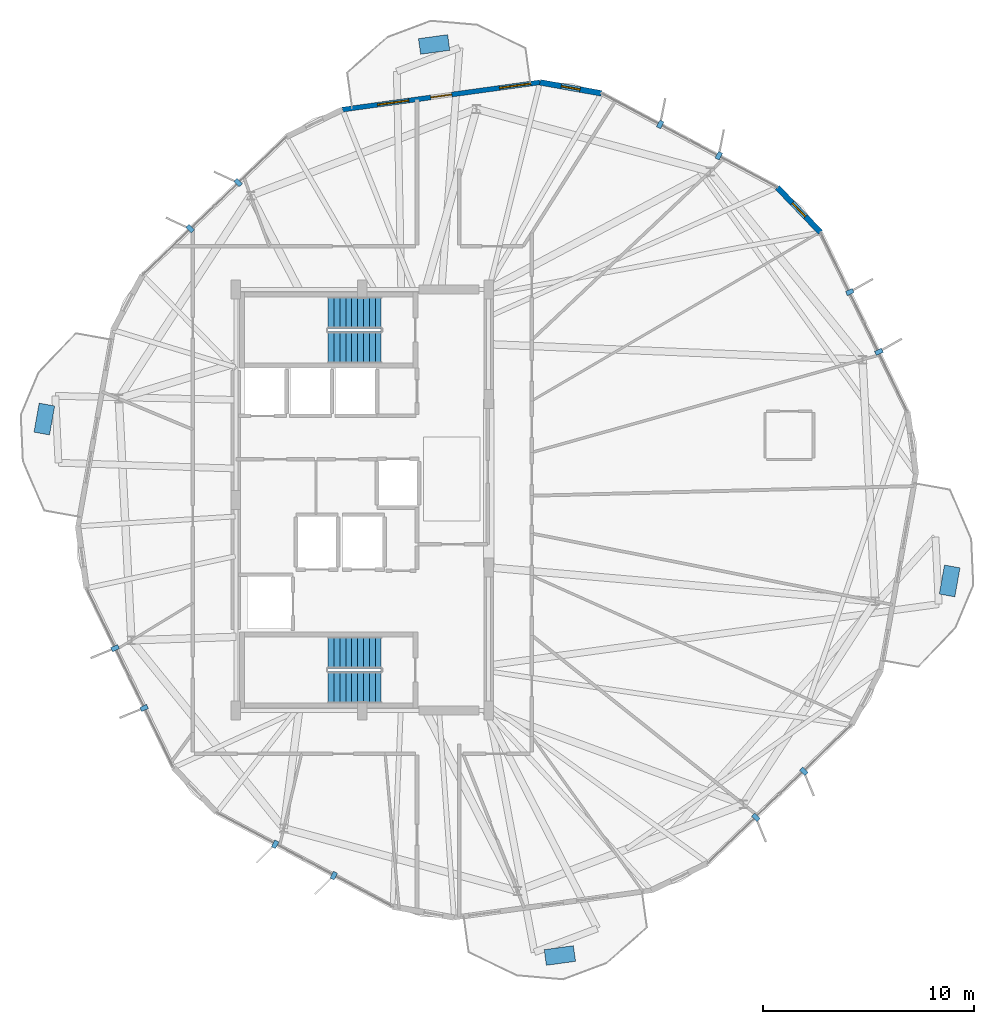
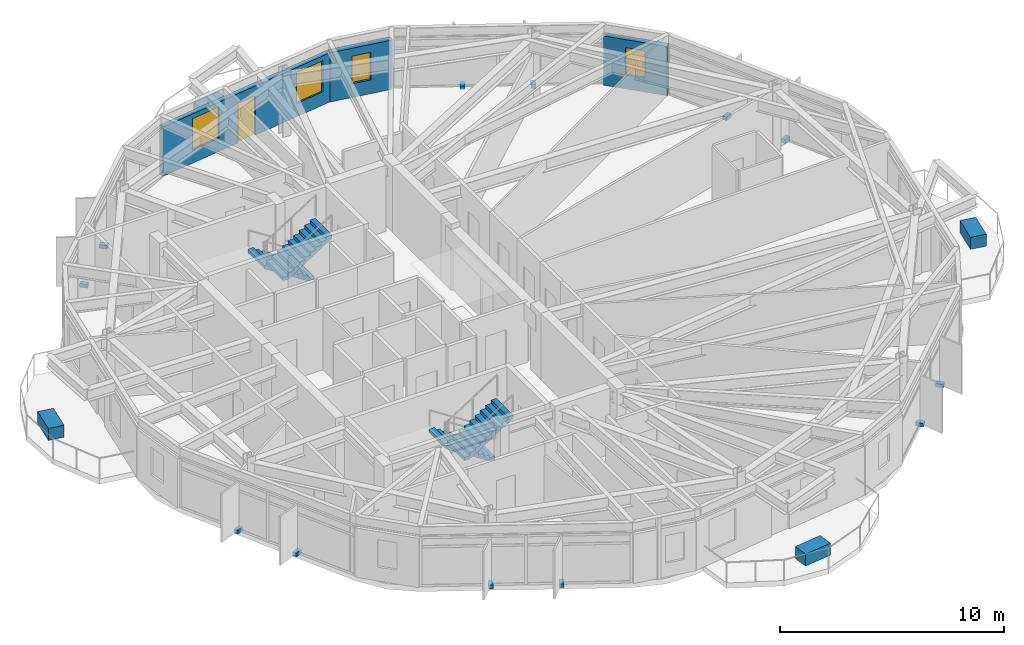
# One storey, part 23 of 26: 16 discrete accessories, 4 stair flights, 4 windows, 3 walls, 1 door, 5 openings, 2 elements without a shape of their own.
"""IFC4 building model written with IfcOpenShell, lengths in metres."""

from ifc_helpers import new_model, si_unit, direction, frame, frame_2d, origin, origin_2d, place, context, subcontext, project, spatial, polyline, rectangle, outline, extrude, material, layer, layer_set, type_object, element, fill, aggregate, save


model = new_model("IFC4")

# Units and contexts
model_context = context("Model", 3, precision=1e-05, world=origin(), true_north=direction((0.0, 1.0)))
body_context = subcontext(model_context, "Body", "Model", "MODEL_VIEW")
ifc_project = project(units=[si_unit("LENGTHUNIT", "METRE"), si_unit("AREAUNIT", "SQUARE_METRE"), si_unit("VOLUMEUNIT", "CUBIC_METRE"), si_unit("PLANEANGLEUNIT", "RADIAN"), si_unit("MASSUNIT", "GRAM", prefix="KILO")], contexts=[model_context])

# Site, building, storey
site_placement = place(None, origin())
site = spatial("IfcSite", under=ifc_project, at=site_placement, CompositionType="ELEMENT")
building_placement = place(site_placement, origin())
building = spatial("IfcBuilding", under=site, at=building_placement, Name="Soratama Intermodal Tower", CompositionType="ELEMENT")
storey_placement = place(building_placement, frame((0.0, 0.0, 194.199951171875)))
storey = spatial("IfcBuildingStorey", under=building, at=storey_placement, Name="L48", CompositionType="ELEMENT", Elevation=194.199951171875)

# Wall, openings, door, windows
ifc_material_1 = material(Name="Concrete f'c 42 MPa", Category="concrete")
ifc_layer_1 = layer(ifc_material_1, 0.22998046875)
ifc_layer_set_1 = layer_set([ifc_layer_1], Name="Concrete f'c 42 MPa")
wall_type_1 = type_object("IfcWallType", Name="EW-BAL-230", PredefinedType="SOLIDWALL", material=ifc_layer_set_1)
wall_1_placement = place(storey_placement, frame((47.04150390625, 44.840087890625, 0.0), z_axis=(0.0, 0.0, 1.0), x_axis=(-0.990605602179, -0.136749921142, 0.0)))
wall_1 = element("IfcWall", 1, at=wall_1_placement, inside=storey, type_object=wall_type_1, Name="L48 Terrace Wall F02", PredefinedType="SOLIDWALL", context=body_context, shape_type="SweptSolid", body=[
    extrude(rectangle(XDim=9.470947265625, YDim=0.22998046875, at=frame_2d((4.7353515625, 0.0))), origin(), (0.0, 0.0, 1.0), 2.678955078125),
])
opening_1_placement = place(wall_1_placement, frame((4.235595703125, 0.0, 0.0)))
opening_1 = element("IfcOpeningElement", 2, at=opening_1_placement, cuts=wall_1, Name="Opening ED-2", PredefinedType="OPENING", context=body_context, shape_type="SweptSolid", body=[
    extrude(rectangle(XDim=1.0, YDim=2.14990234375, at=frame_2d((0.5, 1.074951171875))), frame((0.0, 0.125, 0.0), z_axis=(0.0, -1.0, 0.0), x_axis=(1.0, 0.0, 0.0)), (0.0, 0.0, 1.0), 0.25),
])
opening_2_placement = place(wall_1_placement, frame((0.43994140625, 0.0, 0.719970703125)))
opening_2 = element("IfcOpeningElement", 3, at=opening_2_placement, cuts=wall_1, Name="Opening WN-1", PredefinedType="OPENING", context=body_context, shape_type="SweptSolid", body=[
    extrude(rectangle(XDim=1.5, YDim=1.699951171875, at=frame_2d((0.75, 0.85009765625))), frame((0.0, 0.125, 0.0), z_axis=(0.0, -1.0, 0.0), x_axis=(1.0, 0.0, 0.0)), (0.0, 0.0, 1.0), 0.25),
])
opening_3_placement = place(wall_1_placement, frame((6.28955078125, 0.0, 0.719970703125)))
opening_3 = element("IfcOpeningElement", 4, at=opening_3_placement, cuts=wall_1, Name="Opening WN-1", PredefinedType="OPENING", context=body_context, shape_type="SweptSolid", body=[
    extrude(rectangle(XDim=1.5, YDim=1.699951171875, at=frame_2d((0.75, 0.85009765625))), frame((0.0, 0.125, 0.0), z_axis=(0.0, -1.0, 0.0), x_axis=(1.0, 0.0, 0.0)), (0.0, 0.0, 1.0), 0.25),
])
ifc_material_2 = material(Name="Double-glazed aluminium door", Category="aluminium")
door_type = type_object("IfcDoorType", Name="DR-BAL-1000", OperationType="NOTDEFINED", PredefinedType="DOOR", material=ifc_material_2)
door_placement = place(opening_1_placement, origin())
door = element("IfcDoor", 5, at=door_placement, inside=storey, type_object=door_type, Name="L48 Balcony Door F02", OperationType="SINGLE_SWING_RIGHT", OverallHeight=2.14990234375, OverallWidth=1.0, PredefinedType="DOOR", context=body_context, shape_type="SweptSolid", body=[
    extrude(rectangle(XDim=1.0, YDim=2.14990234375, at=frame_2d((0.5, 1.074951171875))), frame((0.0, 0.02490234375, 0.0), z_axis=(0.0, -1.0, 0.0), x_axis=(1.0, 0.0, 0.0)), (0.0, 0.0, 1.0), 0.050048828125),
])
fill(opening_1, door)
ifc_material_3 = material(Name="Double-glazed aluminium window", Category="aluminium")
window_type_1 = type_object("IfcWindowType", Name="WN-FAC-1500", PartitioningType="SINGLE_PANEL", PredefinedType="WINDOW", material=ifc_material_3)
window_1_placement = place(opening_2_placement, origin())
window_1 = element("IfcWindow", 6, at=window_1_placement, inside=storey, type_object=window_type_1, Name="L48 Window A F02", OverallHeight=1.699951171875, OverallWidth=1.5, PartitioningType="SINGLE_PANEL", PredefinedType="WINDOW", context=body_context, shape_type="SweptSolid", body=[
    extrude(rectangle(XDim=1.5, YDim=1.699951171875, at=frame_2d((0.75, 0.85009765625))), frame((0.0, 0.030029296875, 0.0), z_axis=(0.0, -1.0, 0.0), x_axis=(1.0, 0.0, 0.0)), (0.0, 0.0, 1.0), 0.06005859375),
])
fill(opening_2, window_1)
window_2_placement = place(opening_3_placement, origin())
window_2 = element("IfcWindow", 7, at=window_2_placement, inside=storey, type_object=window_type_1, Name="L48 Window B F02", OverallHeight=1.699951171875, OverallWidth=1.5, PartitioningType="SINGLE_PANEL", PredefinedType="WINDOW", context=body_context, shape_type="SweptSolid", body=[
    extrude(rectangle(XDim=1.5, YDim=1.699951171875, at=frame_2d((0.75, 0.85009765625))), frame((0.0, 0.030029296875, 0.0), z_axis=(0.0, -1.0, 0.0), x_axis=(1.0, 0.0, 0.0)), (0.0, 0.0, 1.0), 0.06005859375),
])
fill(opening_3, window_2)

# Wall, opening, window
ifc_material_4 = material(Name="Concrete f'c 42 MPa", Category="concrete")
ifc_layer_2 = layer(ifc_material_4, 0.27001953125)
ifc_layer_set_2 = layer_set([ifc_layer_2], Name="Concrete f'c 42 MPa")
wall_type_2 = type_object("IfcWallType", Name="EW-CRN-270", PredefinedType="SOLIDWALL", material=ifc_layer_set_2)
wall_2_placement = place(storey_placement, frame((49.9619140625, 44.31787109375, 0.0), z_axis=(0.0, 0.0, 1.0), x_axis=(-0.984385841961, 0.176024186253, 0.0)))
wall_2 = element("IfcWall", 8, at=wall_2_placement, inside=storey, type_object=wall_type_2, Name="L48 Corner Closure Wall 01", PredefinedType="SOLIDWALL", context=body_context, shape_type="SweptSolid", body=[
    extrude(rectangle(XDim=2.966796875, YDim=0.27001953125, at=frame_2d((1.4833984375, 0.0))), origin(), (0.0, 0.0, 1.0), 2.678955078125),
])
opening_4_placement = place(wall_2_placement, frame((1.033203125, 0.0, 0.75)))
opening_4 = element("IfcOpeningElement", 9, at=opening_4_placement, cuts=wall_2, Name="Opening WN-6", PredefinedType="OPENING", context=body_context, shape_type="SweptSolid", body=[
    extrude(rectangle(XDim=0.89990234375, YDim=1.5, at=frame_2d((0.449951171875, 0.75))), frame((0.0, 0.14501953125, 0.0), z_axis=(0.0, -1.0, 0.0), x_axis=(1.0, 0.0, 0.0)), (0.0, 0.0, 1.0), 0.2900390625),
])
ifc_material_5 = material(Name="Double-glazed aluminium window", Category="aluminium")
window_type_2 = type_object("IfcWindowType", Name="WN-FAC-900", PartitioningType="SINGLE_PANEL", PredefinedType="WINDOW", material=ifc_material_5)
window_3_placement = place(opening_4_placement, origin())
window_3 = element("IfcWindow", 10, at=window_3_placement, inside=storey, type_object=window_type_2, Name="L48 Corner Window 01", OverallHeight=1.5, OverallWidth=0.89990234375, PartitioningType="SINGLE_PANEL", PredefinedType="WINDOW", context=body_context, shape_type="SweptSolid", body=[
    extrude(rectangle(XDim=0.89990234375, YDim=1.5, at=frame_2d((0.449951171875, 0.75))), frame((0.0, 0.030029296875, 0.0), z_axis=(0.0, -1.0, 0.0), x_axis=(1.0, 0.0, 0.0)), (0.0, 0.0, 1.0), 0.06005859375),
])
fill(opening_4, window_3)

wall_3_placement = place(storey_placement, frame((60.368896484375, 37.712158203125, 0.0), z_axis=(0.0, 0.0, 1.0), x_axis=(-0.692893222066, 0.721040208875, 0.0)))
wall_3 = element("IfcWall", 11, at=wall_3_placement, inside=storey, type_object=wall_type_2, Name="L48 Corner Closure Wall 10", PredefinedType="SOLIDWALL", context=body_context, shape_type="SweptSolid", body=[
    extrude(rectangle(XDim=2.966552734375, YDim=0.27001953125, at=frame_2d((1.4833984375, 0.0))), origin(), (0.0, 0.0, 1.0), 2.678955078125),
])
opening_5_placement = place(wall_3_placement, frame((1.033203125, 0.0, 0.75)))
opening_5 = element("IfcOpeningElement", 12, at=opening_5_placement, cuts=wall_3, Name="Opening WN-6", PredefinedType="OPENING", context=body_context, shape_type="SweptSolid", body=[
    extrude(rectangle(XDim=0.89990234375, YDim=1.5, at=frame_2d((0.449951171875, 0.75))), frame((0.0, 0.14501953125, 0.0), z_axis=(0.0, -1.0, 0.0), x_axis=(1.0, 0.0, 0.0)), (0.0, 0.0, 1.0), 0.2900390625),
])
window_4_placement = place(opening_5_placement, origin())
window_4 = element("IfcWindow", 13, at=window_4_placement, inside=storey, type_object=window_type_2, Name="L48 Corner Window 10", OverallHeight=1.5, OverallWidth=0.89990234375, PartitioningType="SINGLE_PANEL", PredefinedType="WINDOW", context=body_context, shape_type="SweptSolid", body=[
    extrude(rectangle(XDim=0.89990234375, YDim=1.5, at=frame_2d((0.449951171875, 0.75))), frame((0.0, 0.030029296875, 0.0), z_axis=(0.0, -1.0, 0.0), x_axis=(1.0, 0.0, 0.0)), (0.0, 0.0, 1.0), 0.06005859375),
])
fill(opening_5, window_4)

# Stair, stair flights
ifc_material_6 = material(Name="Concrete f'c 42 MPa", Category="concrete")
stair_type = type_object("IfcStairType", Name="ST-CORE-DOGLEG", PredefinedType="HALF_TURN_STAIR", material=ifc_material_6)
stair_1_placement = place(storey_placement, origin())
stair_1 = element("IfcStair", 14, at=stair_1_placement, inside=storey, type_object=stair_type, Name="L48 ST-1", PredefinedType="HALF_TURN_STAIR")
ifc_material_7 = material(Name="Precast concrete f'c 40 MPa", Category="concrete")
ifc_layer_3 = layer(ifc_material_7, 0.199951171875)
ifc_layer_set_3 = layer_set([ifc_layer_3], Name="Precast concrete f'c 40 MPa")
stair_flight_type = type_object("IfcStairFlightType", Name="SF-FLIGHT-RC", PredefinedType="STRAIGHT", material=ifc_layer_set_3)
stair_flight_1_placement = place(storey_placement, frame((39.5, 17.75, 0.0), z_axis=(0.0, 0.0, 1.0), x_axis=(-1.0, 0.0, 0.0)))
stair_flight_1 = element("IfcStairFlight", 15, at=stair_flight_1_placement, type_object=stair_flight_type, Name="ST-1 flight 1", NumberOfRisers=10, NumberOfTreads=9, PredefinedType="STRAIGHT", RiserHeight=0.18, TreadLength=0.28, context=body_context, shape_type="SweptSolid", body=[
    extrude(outline(polyline([(0.0, 0.0), (0.0, 0.179931640625), (0.280029296875, 0.179931640625), (0.280029296875, 0.360107421875), (0.56005859375, 0.360107421875), (0.56005859375, 0.5400390625), (0.840087890625, 0.5400390625), (0.840087890625, 0.719970703125), (1.1201171875, 0.719970703125), (1.1201171875, 0.89990234375), (1.39990234375, 0.89990234375), (1.39990234375, 1.080078125), (1.679931640625, 1.080078125), (1.679931640625, 1.260009765625), (1.9599609375, 1.260009765625), (1.9599609375, 1.43994140625), (2.239990234375, 1.43994140625), (2.239990234375, 1.6201171875), (2.52001953125, 1.6201171875), (2.52001953125, 1.800048828125), (2.52001953125, 1.44189453125), (0.277099609375, 0.0), (0.0, 0.0)])), frame((0.0, 0.75, 0.0), z_axis=(0.0, -1.0, 0.0), x_axis=(1.0, 0.0, 0.0)), (0.0, 0.0, 1.0), 1.5),
])
stair_flight_2_placement = place(storey_placement, frame((36.97998046875, 16.10009765625, 1.800048828125), z_axis=(0.0, 0.0, 1.0), x_axis=(1.0, 0.0, 0.0)))
stair_flight_2 = element("IfcStairFlight", 16, at=stair_flight_2_placement, type_object=stair_flight_type, Name="ST-1 flight 2", NumberOfRisers=10, NumberOfTreads=9, PredefinedType="STRAIGHT", RiserHeight=0.18, TreadLength=0.28, context=body_context, shape_type="SweptSolid", body=[
    extrude(outline(polyline([(0.0, 0.0), (0.0, 0.179931640625), (0.280029296875, 0.179931640625), (0.280029296875, 0.360107421875), (0.56005859375, 0.360107421875), (0.56005859375, 0.5400390625), (0.840087890625, 0.5400390625), (0.840087890625, 0.719970703125), (1.1201171875, 0.719970703125), (1.1201171875, 0.89990234375), (1.39990234375, 0.89990234375), (1.39990234375, 1.080078125), (1.679931640625, 1.080078125), (1.679931640625, 1.260009765625), (1.9599609375, 1.260009765625), (1.9599609375, 1.43994140625), (2.239990234375, 1.43994140625), (2.239990234375, 1.6201171875), (2.52001953125, 1.6201171875), (2.52001953125, 1.800048828125), (2.52001953125, 1.44189453125), (0.277099609375, 0.0), (0.0, 0.0)])), frame((0.0, 0.75, 0.0), z_axis=(0.0, -1.0, 0.0), x_axis=(1.0, 0.0, 0.0)), (0.0, 0.0, 1.0), 1.5),
])
aggregate(stair_1, [stair_flight_1, stair_flight_2])

stair_2_placement = place(storey_placement, origin())
stair_2 = element("IfcStair", 17, at=stair_2_placement, inside=storey, type_object=stair_type, Name="L48 ST-2", PredefinedType="HALF_TURN_STAIR")
stair_flight_3_placement = place(storey_placement, frame((39.5, 33.89990234375, 0.0), z_axis=(0.0, 0.0, 1.0), x_axis=(-1.0, 0.0, 0.0)))
stair_flight_3 = element("IfcStairFlight", 18, at=stair_flight_3_placement, type_object=stair_flight_type, Name="ST-2 flight 1", NumberOfRisers=10, NumberOfTreads=9, PredefinedType="STRAIGHT", RiserHeight=0.18, TreadLength=0.28, context=body_context, shape_type="SweptSolid", body=[
    extrude(outline(polyline([(0.0, 0.0), (0.0, 0.179931640625), (0.280029296875, 0.179931640625), (0.280029296875, 0.360107421875), (0.56005859375, 0.360107421875), (0.56005859375, 0.5400390625), (0.840087890625, 0.5400390625), (0.840087890625, 0.719970703125), (1.1201171875, 0.719970703125), (1.1201171875, 0.89990234375), (1.39990234375, 0.89990234375), (1.39990234375, 1.080078125), (1.679931640625, 1.080078125), (1.679931640625, 1.260009765625), (1.9599609375, 1.260009765625), (1.9599609375, 1.43994140625), (2.239990234375, 1.43994140625), (2.239990234375, 1.6201171875), (2.52001953125, 1.6201171875), (2.52001953125, 1.800048828125), (2.52001953125, 1.44189453125), (0.277099609375, 0.0), (0.0, 0.0)])), frame((0.0, 0.75, 0.0), z_axis=(0.0, -1.0, 0.0), x_axis=(1.0, 0.0, 0.0)), (0.0, 0.0, 1.0), 1.5),
])
stair_flight_4_placement = place(storey_placement, frame((36.97998046875, 32.25, 1.800048828125), z_axis=(0.0, 0.0, 1.0), x_axis=(1.0, 0.0, 0.0)))
stair_flight_4 = element("IfcStairFlight", 19, at=stair_flight_4_placement, type_object=stair_flight_type, Name="ST-2 flight 2", NumberOfRisers=10, NumberOfTreads=9, PredefinedType="STRAIGHT", RiserHeight=0.18, TreadLength=0.28, context=body_context, shape_type="SweptSolid", body=[
    extrude(outline(polyline([(0.0, 0.0), (0.0, 0.179931640625), (0.280029296875, 0.179931640625), (0.280029296875, 0.360107421875), (0.56005859375, 0.360107421875), (0.56005859375, 0.5400390625), (0.840087890625, 0.5400390625), (0.840087890625, 0.719970703125), (1.1201171875, 0.719970703125), (1.1201171875, 0.89990234375), (1.39990234375, 0.89990234375), (1.39990234375, 1.080078125), (1.679931640625, 1.080078125), (1.679931640625, 1.260009765625), (1.9599609375, 1.260009765625), (1.9599609375, 1.43994140625), (2.239990234375, 1.43994140625), (2.239990234375, 1.6201171875), (2.52001953125, 1.6201171875), (2.52001953125, 1.800048828125), (2.52001953125, 1.44189453125), (0.277099609375, 0.0), (0.0, 0.0)])), frame((0.0, 0.75, 0.0), z_axis=(0.0, -1.0, 0.0), x_axis=(1.0, 0.0, 0.0)), (0.0, 0.0, 1.0), 1.5),
])
aggregate(stair_2, [stair_flight_3, stair_flight_4])

# Discrete accessories
ifc_material_8 = material(Name="Structural steel ASTM A992 Grade 50", Category="steel")
discrete_accessory_type_1 = type_object("IfcDiscreteAccessoryType", Name="AC-FIN-BRACKET", PredefinedType="BRACKET", material=ifc_material_8)
for number, where, z_axis, x_axis, name in (
    (20, (55.5390625, 41.357666015625, -0.080078125), (0.0, 0.0, 1.0), (0.471627607116, 0.88179782275, 0.0), "L48 Fin Bracket F01-1"),
    (21, (52.755126953125, 42.8466796875, -0.080078125), (0.0, 0.0, 1.0), (0.471627607116, 0.88179782275, 0.0), "L48 Fin Bracket F01-2"),
    (22, (32.69970703125, 40.077880859375, -0.080078125), (0.0, 0.0, 1.0), (-0.692898619766, 0.721035021845, 0.0), "L48 Fin Bracket F03-1"),
    (23, (30.42333984375, 37.890380859375, -0.080078125), (0.0, 0.0, 1.0), (-0.692898619766, 0.721035021845, 0.0), "L48 Fin Bracket F03-2"),
    (24, (26.85888671875, 17.9609375, -0.080078125), (0.0, 0.0, 1.0), (-0.899862504889, -0.436173672171, 0.0), "L48 Fin Bracket F05-1"),
    (25, (28.236083984375, 15.1201171875, -0.080078125), (0.0, 0.0, 1.0), (-0.899862504889, -0.436173672171, 0.0), "L48 Fin Bracket F05-2"),
    (26, (34.4609375, 8.642333984375, -0.080078125), (0.0, 0.0, 1.0), (-0.471627607116, -0.88179782275, 0.0), "L48 Fin Bracket F06-1"),
    (27, (37.244873046875, 7.1533203125, -0.080078125), (0.0, 0.0, 1.0), (-0.471627607116, -0.88179782275, 0.0), "L48 Fin Bracket F06-2"),
    (28, (57.30029296875, 9.922119140625, -0.080078125), (0.0, 0.0, 1.0), (0.692898619766, -0.721035021845, 0.0), "L48 Fin Bracket F08-1"),
    (29, (59.57666015625, 12.109619140625, -0.080078125), (0.0, 0.0, 1.0), (0.692898619766, -0.721035021845, 0.0), "L48 Fin Bracket F08-2"),
    (30, (63.14111328125, 32.0390625, -0.080078125), (0.0, 0.0, 1.0), (0.899862504889, 0.436173672171, 0.0), "L48 Fin Bracket F10-1"),
    (31, (61.763916015625, 34.8798828125, -0.080078125), (0.0, 0.0, 1.0), (0.899862504889, 0.436173672171, 0.0), "L48 Fin Bracket F10-2"),
):
    element("IfcDiscreteAccessory", number, at=place(storey_placement, frame(where, z_axis=z_axis, x_axis=x_axis)), inside=storey, type_object=discrete_accessory_type_1, Name=name, PredefinedType="BRACKET", context=body_context, shape_type="SweptSolid", body=[
        extrude(rectangle(XDim=0.360107421875, YDim=0.219970703125, at=origin_2d()), origin(), (0.0, 0.0, 1.0), 0.199951171875),
    ])
ifc_material_9 = material(Name="Precast concrete f'c 40 MPa", Category="concrete")
discrete_accessory_type_2 = type_object("IfcDiscreteAccessoryType", Name="AC-PLANTER-TREE", PredefinedType="USERDEFINED", material=ifc_material_9)
for number, where, z_axis, x_axis, name in (
    (32, (66.50341796875, 21.154296875, 0.0), (0.0, 0.0, 1.0), (0.984380510996, -0.17605399618, 0.0), "L48 Tree Planter 1"),
    (33, (42.0126953125, 46.639404296875, 0.0), (0.0, 0.0, 1.0), (-0.136753006543, 0.990605176244, 0.0), "L48 Tree Planter 2"),
    (34, (23.49658203125, 28.845703125, 0.0), (0.0, 0.0, 1.0), (-0.984380510996, 0.17605399618, 0.0), "L48 Tree Planter 3"),
    (35, (47.9873046875, 3.360595703125, 0.0), (0.0, 0.0, 1.0), (0.136753006543, -0.990605176244, 0.0), "L48 Tree Planter 4"),
):
    element("IfcDiscreteAccessory", number, at=place(storey_placement, frame(where, z_axis=z_axis, x_axis=x_axis)), inside=storey, type_object=discrete_accessory_type_2, Name=name, ObjectType="PLANTER", PredefinedType="USERDEFINED", context=body_context, shape_type="SweptSolid", body=[
        extrude(rectangle(XDim=0.75, YDim=1.39990234375, at=origin_2d()), origin(), (0.0, 0.0, 1.0), 0.64990234375),
    ])

save(model, "model.ifc")
